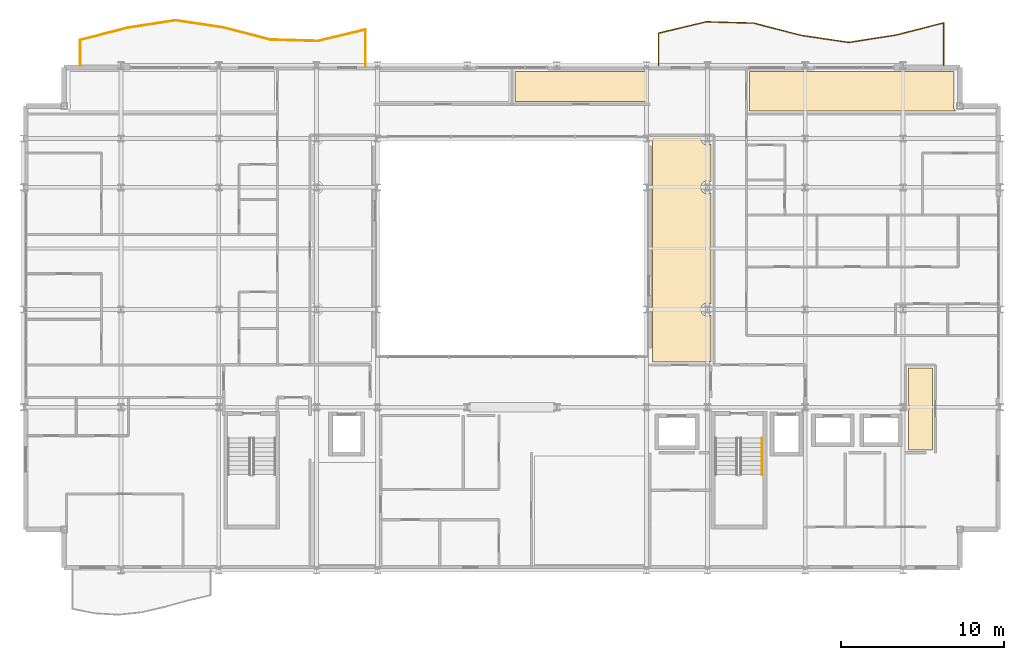
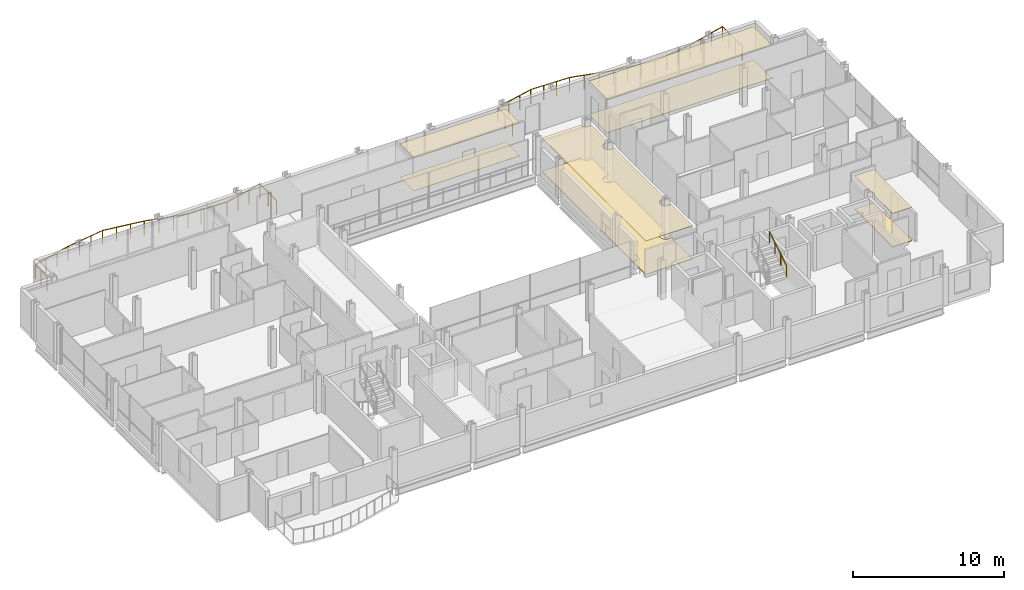
# One storey, part 41 of 41: 8 coverings, 3 railings.
"""IFC4 building model written with IfcOpenShell, lengths in metres."""

from ifc_helpers import new_model, si_unit, direction, frame, origin, origin_2d, place, context, subcontext, project, spatial, polyline, circle, outline, extrude, material, layer, layer_set, type_object, element, save


model = new_model("IFC4")

# Units and contexts
model_context = context("Model", 3, precision=1e-05, world=origin(), true_north=direction((0.0, 1.0)))
body_context = subcontext(model_context, "Body", "Model", "MODEL_VIEW")
ifc_project = project(units=[si_unit("LENGTHUNIT", "METRE"), si_unit("AREAUNIT", "SQUARE_METRE"), si_unit("VOLUMEUNIT", "CUBIC_METRE"), si_unit("PLANEANGLEUNIT", "RADIAN"), si_unit("MASSUNIT", "GRAM", prefix="KILO")], contexts=[model_context])

# Site, building, storey
site_placement = place(None, origin())
site = spatial("IfcSite", under=ifc_project, at=site_placement, CompositionType="ELEMENT")
building_placement = place(site_placement, origin())
building = spatial("IfcBuilding", under=site, at=building_placement, Name="Brevholm Reach", CompositionType="ELEMENT")
storey_placement = place(building_placement, frame((0.0, 0.0, 169.699951171875)))
storey = spatial("IfcBuildingStorey", under=building, at=storey_placement, Name="L51", CompositionType="ELEMENT", Elevation=169.699951171875)

# Coverings
ifc_material_1 = material(Name="Perforated Mineral-Fibre Class-A Acoustic Suspended Ceiling", Category="gypsum")
ifc_layer_1 = layer(ifc_material_1, 0.044921875)
ifc_layer_set_1 = layer_set([ifc_layer_1], Name="Perforated Mineral-Fibre Class-A Acoustic Suspended Ceiling")
covering_type_1 = type_object("IfcCoveringType", Name="COV-CLG-AC", PredefinedType="CEILING", material=ifc_layer_set_1)
covering_1_placement = place(storey_placement, frame((0.0, 0.0, 2.675048828125)))
element("IfcCovering", 1, at=covering_1_placement, inside=storey, type_object=covering_type_1, Name="L51 Suspended Ceiling L51-61", PredefinedType="CEILING", context=body_context, shape_type="SweptSolid", body=[
    extrude(outline(polyline([(32.626220703125, 30.6201171875), (32.6337890625, 30.6171875), (32.672119140625, 30.607666015625), (32.710693359375, 30.601806640625), (32.75, 30.60009765625), (32.789306640625, 30.601806640625), (32.827880859375, 30.607666015625), (32.8662109375, 30.6171875), (32.873779296875, 30.6201171875), (38.126220703125, 30.6201171875), (38.1337890625, 30.6171875), (38.172119140625, 30.607666015625), (38.210693359375, 30.601806640625), (38.25, 30.60009765625), (38.26611328125, 30.600830078125), (38.26611328125, 28.783935546875), (30.18408203125, 28.783935546875), (30.18408203125, 30.6201171875), (32.626220703125, 30.6201171875)])), origin(), (0.0, 0.0, 1.0), 0.044921875),
])
covering_2_placement = place(storey_placement, frame((0.0, 0.0, 2.675048828125)))
element("IfcCovering", 2, at=covering_2_placement, inside=storey, type_object=covering_type_1, Name="L51 Suspended Ceiling L51-62", PredefinedType="CEILING", context=body_context, shape_type="SweptSolid", body=[
    extrude(outline(polyline([(47.876220703125, 30.6201171875), (47.8837890625, 30.6171875), (47.922119140625, 30.607666015625), (47.960693359375, 30.601806640625), (48.0, 30.60009765625), (48.039306640625, 30.601806640625), (48.077880859375, 30.607666015625), (48.1162109375, 30.6171875), (48.123779296875, 30.6201171875), (53.876220703125, 30.6201171875), (53.8837890625, 30.6171875), (53.922119140625, 30.607666015625), (53.960693359375, 30.601806640625), (54.0, 30.60009765625), (54.039306640625, 30.601806640625), (54.077880859375, 30.607666015625), (54.1162109375, 30.6171875), (54.123779296875, 30.6201171875), (57.139892578125, 30.6201171875), (57.139892578125, 28.67333984375), (57.13037109375, 28.653076171875), (57.1171875, 28.6162109375), (57.107666015625, 28.577880859375), (57.101806640625, 28.539306640625), (57.10009765625, 28.5), (57.101806640625, 28.460693359375), (57.107666015625, 28.422119140625), (57.1171875, 28.3837890625), (57.13037109375, 28.346923828125), (57.147216796875, 28.311279296875), (57.16748046875, 28.27783203125), (57.19091796875, 28.24609375), (57.21728515625, 28.21728515625), (57.24609375, 28.19091796875), (57.25537109375, 28.18408203125), (44.583984375, 28.18408203125), (44.583984375, 30.6201171875), (47.876220703125, 30.6201171875)])), origin(), (0.0, 0.0, 1.0), 0.044921875),
])
ifc_material_2 = material(Name="Moisture-Resistant Skimmed Gypsum Plasterboard Ceiling", Category="gypsum")
ifc_layer_2 = layer(ifc_material_2, 0.030029296875)
ifc_layer_set_2 = layer_set([ifc_layer_2], Name="Moisture-Resistant Skimmed Gypsum Plasterboard Ceiling")
covering_type_2 = type_object("IfcCoveringType", Name="COV-CLG-GYP", PredefinedType="CEILING", material=ifc_layer_set_2)
covering_3_placement = place(storey_placement, frame((0.0, 0.0, 2.68994140625)))
element("IfcCovering", 3, at=covering_3_placement, inside=storey, type_object=covering_type_2, Name="L51 Suspended Ceiling L51-27", PredefinedType="CEILING", context=body_context, shape_type="SweptSolid", body=[
    extrude(outline(polyline([(54.330078125, 9.7626953125), (54.33056640625, 9.764892578125), (54.33251953125, 9.777587890625), (54.33251953125, 9.77783203125), (54.352783203125, 9.811279296875), (54.36962890625, 9.846923828125), (54.3828125, 9.8837890625), (54.392333984375, 9.922119140625), (54.398193359375, 9.960693359375), (54.39990234375, 10.0), (54.398193359375, 10.039306640625), (54.392333984375, 10.077880859375), (54.3828125, 10.1162109375), (54.36962890625, 10.153076171875), (54.352783203125, 10.188720703125), (54.333984375, 10.219970703125), (54.333984375, 12.419921875), (55.81591796875, 12.419921875), (55.81591796875, 7.3798828125), (55.437255859375, 7.3798828125), (55.43505859375, 7.380615234375), (55.41748046875, 7.383056640625), (55.39990234375, 7.384033203125), (54.330078125, 7.384033203125), (54.330078125, 9.7626953125)])), origin(), (0.0, 0.0, 1.0), 0.030029296875),
])
covering_4_placement = place(storey_placement, frame((0.0, 0.0, 2.68994140625)))
element("IfcCovering", 4, at=covering_4_placement, inside=storey, type_object=covering_type_2, Name="L51 Suspended Ceiling L51-58", PredefinedType="CEILING", context=body_context, shape_type="SweptSolid", body=[
    extrude(outline(polyline([(38.6298828125, 15.876220703125), (38.6328125, 15.8837890625), (38.642333984375, 15.922119140625), (38.648193359375, 15.960693359375), (38.64990234375, 16.0), (38.648193359375, 16.039306640625), (38.642333984375, 16.077880859375), (38.6328125, 16.1162109375), (38.6298828125, 16.123779296875), (38.6298828125, 23.376220703125), (38.6328125, 23.3837890625), (38.642333984375, 23.422119140625), (38.648193359375, 23.460693359375), (38.64990234375, 23.5), (38.648193359375, 23.539306640625), (38.642333984375, 23.577880859375), (38.6328125, 23.6162109375), (38.6298828125, 23.623779296875), (38.6298828125, 26.376220703125), (38.6328125, 26.3837890625), (38.642333984375, 26.422119140625), (38.648193359375, 26.460693359375), (38.64990234375, 26.5), (38.649169921875, 26.51611328125), (41.600830078125, 26.51611328125), (41.60009765625, 26.5), (41.601806640625, 26.460693359375), (41.607666015625, 26.422119140625), (41.6171875, 26.3837890625), (41.63037109375, 26.346923828125), (41.647216796875, 26.311279296875), (41.66748046875, 26.27783203125), (41.69091796875, 26.24609375), (41.71728515625, 26.21728515625), (41.74609375, 26.19091796875), (41.77783203125, 26.16748046875), (41.811279296875, 26.147216796875), (41.846923828125, 26.13037109375), (41.8837890625, 26.1171875), (41.922119140625, 26.107666015625), (41.960693359375, 26.101806640625), (42.0, 26.10009765625), (42.039306640625, 26.101806640625), (42.077880859375, 26.107666015625), (42.1162109375, 26.1171875), (42.153076171875, 26.13037109375), (42.188720703125, 26.147216796875), (42.216064453125, 26.163818359375), (42.216064453125, 23.836181640625), (42.188720703125, 23.852783203125), (42.153076171875, 23.86962890625), (42.1162109375, 23.8828125), (42.077880859375, 23.892333984375), (42.039306640625, 23.898193359375), (42.0, 23.89990234375), (41.960693359375, 23.898193359375), (41.922119140625, 23.892333984375), (41.8837890625, 23.8828125), (41.846923828125, 23.86962890625), (41.811279296875, 23.852783203125), (41.77783203125, 23.83251953125), (41.74609375, 23.80908203125), (41.71728515625, 23.78271484375), (41.69091796875, 23.75390625), (41.66748046875, 23.72216796875), (41.647216796875, 23.688720703125), (41.63037109375, 23.653076171875), (41.6171875, 23.6162109375), (41.607666015625, 23.577880859375), (41.601806640625, 23.539306640625), (41.60009765625, 23.5), (41.601806640625, 23.460693359375), (41.607666015625, 23.422119140625), (41.6171875, 23.3837890625), (41.63037109375, 23.346923828125), (41.647216796875, 23.311279296875), (41.66748046875, 23.27783203125), (41.69091796875, 23.24609375), (41.71728515625, 23.21728515625), (41.74609375, 23.19091796875), (41.77783203125, 23.16748046875), (41.811279296875, 23.147216796875), (41.846923828125, 23.13037109375), (41.8837890625, 23.1171875), (41.922119140625, 23.107666015625), (41.960693359375, 23.101806640625), (42.0, 23.10009765625), (42.039306640625, 23.101806640625), (42.077880859375, 23.107666015625), (42.1162109375, 23.1171875), (42.153076171875, 23.13037109375), (42.188720703125, 23.147216796875), (42.216064453125, 23.163818359375), (42.216064453125, 16.336181640625), (42.188720703125, 16.352783203125), (42.153076171875, 16.36962890625), (42.1162109375, 16.3828125), (42.077880859375, 16.392333984375), (42.039306640625, 16.398193359375), (42.0, 16.39990234375), (41.960693359375, 16.398193359375), (41.922119140625, 16.392333984375), (41.8837890625, 16.3828125), (41.846923828125, 16.36962890625), (41.811279296875, 16.352783203125), (41.77783203125, 16.33251953125), (41.74609375, 16.30908203125), (41.71728515625, 16.28271484375), (41.69091796875, 16.25390625), (41.66748046875, 16.22216796875), (41.647216796875, 16.188720703125), (41.63037109375, 16.153076171875), (41.6171875, 16.1162109375), (41.607666015625, 16.077880859375), (41.601806640625, 16.039306640625), (41.60009765625, 16.0), (41.601806640625, 15.960693359375), (41.607666015625, 15.922119140625), (41.6171875, 15.8837890625), (41.63037109375, 15.846923828125), (41.647216796875, 15.811279296875), (41.66748046875, 15.77783203125), (41.69091796875, 15.74609375), (41.71728515625, 15.71728515625), (41.74609375, 15.69091796875), (41.77783203125, 15.66748046875), (41.811279296875, 15.647216796875), (41.846923828125, 15.63037109375), (41.8837890625, 15.6171875), (41.922119140625, 15.607666015625), (41.960693359375, 15.601806640625), (42.0, 15.60009765625), (42.039306640625, 15.601806640625), (42.077880859375, 15.607666015625), (42.1162109375, 15.6171875), (42.153076171875, 15.63037109375), (42.188720703125, 15.647216796875), (42.216064453125, 15.663818359375), (42.216064453125, 12.783935546875), (38.6298828125, 12.783935546875), (38.6298828125, 15.876220703125)])), origin(), (0.0, 0.0, 1.0), 0.030029296875),
])
ifc_material_3 = material(Name="Engineered European Oak Acoustic Plank Flooring", Category="timber")
ifc_layer_3 = layer(ifc_material_3, 0.02197265625)
ifc_layer_set_3 = layer_set([ifc_layer_3], Name="Engineered European Oak Acoustic Plank Flooring")
covering_type_3 = type_object("IfcCoveringType", Name="COV-FLR-OAK", PredefinedType="FLOORING", material=ifc_layer_set_3)
covering_5_placement = place(storey_placement, origin())
element("IfcCovering", 5, at=covering_5_placement, inside=storey, type_object=covering_type_3, Name="L51 Floor Finish L51-61", PredefinedType="FLOORING", context=body_context, shape_type="SweptSolid", body=[
    extrude(outline(polyline([(32.626220703125, 30.6201171875), (32.6337890625, 30.6171875), (32.672119140625, 30.607666015625), (32.710693359375, 30.601806640625), (32.75, 30.60009765625), (32.789306640625, 30.601806640625), (32.827880859375, 30.607666015625), (32.8662109375, 30.6171875), (32.873779296875, 30.6201171875), (38.126220703125, 30.6201171875), (38.1337890625, 30.6171875), (38.172119140625, 30.607666015625), (38.210693359375, 30.601806640625), (38.25, 30.60009765625), (38.26611328125, 30.600830078125), (38.26611328125, 28.783935546875), (30.18408203125, 28.783935546875), (30.18408203125, 30.6201171875), (32.626220703125, 30.6201171875)])), origin(), (0.0, 0.0, 1.0), 0.02197265625),
])
ifc_material_4 = material(Name="Honed Portland-Aggregate Resin Terrazzo Flooring", Category="concrete")
ifc_layer_4 = layer(ifc_material_4, 0.031982421875)
ifc_layer_set_4 = layer_set([ifc_layer_4], Name="Honed Portland-Aggregate Resin Terrazzo Flooring")
covering_type_4 = type_object("IfcCoveringType", Name="COV-FLR-TRZ", PredefinedType="FLOORING", material=ifc_layer_set_4)
covering_6_placement = place(storey_placement, origin())
element("IfcCovering", 6, at=covering_6_placement, inside=storey, type_object=covering_type_4, Name="L51 Floor Finish L51-27", PredefinedType="FLOORING", context=body_context, shape_type="SweptSolid", body=[
    extrude(outline(polyline([(54.330078125, 9.7626953125), (54.33056640625, 9.764892578125), (54.33251953125, 9.777587890625), (54.33251953125, 9.77783203125), (54.352783203125, 9.811279296875), (54.36962890625, 9.846923828125), (54.3828125, 9.8837890625), (54.392333984375, 9.922119140625), (54.398193359375, 9.960693359375), (54.39990234375, 10.0), (54.398193359375, 10.039306640625), (54.392333984375, 10.077880859375), (54.3828125, 10.1162109375), (54.36962890625, 10.153076171875), (54.352783203125, 10.188720703125), (54.333984375, 10.219970703125), (54.333984375, 12.419921875), (55.81591796875, 12.419921875), (55.81591796875, 7.3798828125), (55.437255859375, 7.3798828125), (55.43505859375, 7.380615234375), (55.41748046875, 7.383056640625), (55.39990234375, 7.384033203125), (54.330078125, 7.384033203125), (54.330078125, 9.7626953125)])), origin(), (0.0, 0.0, 1.0), 0.031982421875),
])
covering_7_placement = place(storey_placement, origin())
element("IfcCovering", 7, at=covering_7_placement, inside=storey, type_object=covering_type_4, Name="L51 Floor Finish L51-58", PredefinedType="FLOORING", context=body_context, shape_type="SweptSolid", body=[
    extrude(outline(polyline([(38.6298828125, 15.876220703125), (38.6328125, 15.8837890625), (38.642333984375, 15.922119140625), (38.648193359375, 15.960693359375), (38.64990234375, 16.0), (38.648193359375, 16.039306640625), (38.642333984375, 16.077880859375), (38.6328125, 16.1162109375), (38.6298828125, 16.123779296875), (38.6298828125, 23.376220703125), (38.6328125, 23.3837890625), (38.642333984375, 23.422119140625), (38.648193359375, 23.460693359375), (38.64990234375, 23.5), (38.648193359375, 23.539306640625), (38.642333984375, 23.577880859375), (38.6328125, 23.6162109375), (38.6298828125, 23.623779296875), (38.6298828125, 26.376220703125), (38.6328125, 26.3837890625), (38.642333984375, 26.422119140625), (38.648193359375, 26.460693359375), (38.64990234375, 26.5), (38.649169921875, 26.51611328125), (41.600830078125, 26.51611328125), (41.60009765625, 26.5), (41.601806640625, 26.460693359375), (41.607666015625, 26.422119140625), (41.6171875, 26.3837890625), (41.63037109375, 26.346923828125), (41.647216796875, 26.311279296875), (41.66748046875, 26.27783203125), (41.69091796875, 26.24609375), (41.71728515625, 26.21728515625), (41.74609375, 26.19091796875), (41.77783203125, 26.16748046875), (41.811279296875, 26.147216796875), (41.846923828125, 26.13037109375), (41.8837890625, 26.1171875), (41.922119140625, 26.107666015625), (41.960693359375, 26.101806640625), (42.0, 26.10009765625), (42.039306640625, 26.101806640625), (42.077880859375, 26.107666015625), (42.1162109375, 26.1171875), (42.153076171875, 26.13037109375), (42.188720703125, 26.147216796875), (42.216064453125, 26.163818359375), (42.216064453125, 23.836181640625), (42.188720703125, 23.852783203125), (42.153076171875, 23.86962890625), (42.1162109375, 23.8828125), (42.077880859375, 23.892333984375), (42.039306640625, 23.898193359375), (42.0, 23.89990234375), (41.960693359375, 23.898193359375), (41.922119140625, 23.892333984375), (41.8837890625, 23.8828125), (41.846923828125, 23.86962890625), (41.811279296875, 23.852783203125), (41.77783203125, 23.83251953125), (41.74609375, 23.80908203125), (41.71728515625, 23.78271484375), (41.69091796875, 23.75390625), (41.66748046875, 23.72216796875), (41.647216796875, 23.688720703125), (41.63037109375, 23.653076171875), (41.6171875, 23.6162109375), (41.607666015625, 23.577880859375), (41.601806640625, 23.539306640625), (41.60009765625, 23.5), (41.601806640625, 23.460693359375), (41.607666015625, 23.422119140625), (41.6171875, 23.3837890625), (41.63037109375, 23.346923828125), (41.647216796875, 23.311279296875), (41.66748046875, 23.27783203125), (41.69091796875, 23.24609375), (41.71728515625, 23.21728515625), (41.74609375, 23.19091796875), (41.77783203125, 23.16748046875), (41.811279296875, 23.147216796875), (41.846923828125, 23.13037109375), (41.8837890625, 23.1171875), (41.922119140625, 23.107666015625), (41.960693359375, 23.101806640625), (42.0, 23.10009765625), (42.039306640625, 23.101806640625), (42.077880859375, 23.107666015625), (42.1162109375, 23.1171875), (42.153076171875, 23.13037109375), (42.188720703125, 23.147216796875), (42.216064453125, 23.163818359375), (42.216064453125, 16.336181640625), (42.188720703125, 16.352783203125), (42.153076171875, 16.36962890625), (42.1162109375, 16.3828125), (42.077880859375, 16.392333984375), (42.039306640625, 16.398193359375), (42.0, 16.39990234375), (41.960693359375, 16.398193359375), (41.922119140625, 16.392333984375), (41.8837890625, 16.3828125), (41.846923828125, 16.36962890625), (41.811279296875, 16.352783203125), (41.77783203125, 16.33251953125), (41.74609375, 16.30908203125), (41.71728515625, 16.28271484375), (41.69091796875, 16.25390625), (41.66748046875, 16.22216796875), (41.647216796875, 16.188720703125), (41.63037109375, 16.153076171875), (41.6171875, 16.1162109375), (41.607666015625, 16.077880859375), (41.601806640625, 16.039306640625), (41.60009765625, 16.0), (41.601806640625, 15.960693359375), (41.607666015625, 15.922119140625), (41.6171875, 15.8837890625), (41.63037109375, 15.846923828125), (41.647216796875, 15.811279296875), (41.66748046875, 15.77783203125), (41.69091796875, 15.74609375), (41.71728515625, 15.71728515625), (41.74609375, 15.69091796875), (41.77783203125, 15.66748046875), (41.811279296875, 15.647216796875), (41.846923828125, 15.63037109375), (41.8837890625, 15.6171875), (41.922119140625, 15.607666015625), (41.960693359375, 15.601806640625), (42.0, 15.60009765625), (42.039306640625, 15.601806640625), (42.077880859375, 15.607666015625), (42.1162109375, 15.6171875), (42.153076171875, 15.63037109375), (42.188720703125, 15.647216796875), (42.216064453125, 15.663818359375), (42.216064453125, 12.783935546875), (38.6298828125, 12.783935546875), (38.6298828125, 15.876220703125)])), origin(), (0.0, 0.0, 1.0), 0.031982421875),
])
covering_8_placement = place(storey_placement, origin())
element("IfcCovering", 8, at=covering_8_placement, inside=storey, type_object=covering_type_4, Name="L51 Floor Finish L51-62", PredefinedType="FLOORING", context=body_context, shape_type="SweptSolid", body=[
    extrude(outline(polyline([(47.876220703125, 30.6201171875), (47.8837890625, 30.6171875), (47.922119140625, 30.607666015625), (47.960693359375, 30.601806640625), (48.0, 30.60009765625), (48.039306640625, 30.601806640625), (48.077880859375, 30.607666015625), (48.1162109375, 30.6171875), (48.123779296875, 30.6201171875), (53.876220703125, 30.6201171875), (53.8837890625, 30.6171875), (53.922119140625, 30.607666015625), (53.960693359375, 30.601806640625), (54.0, 30.60009765625), (54.039306640625, 30.601806640625), (54.077880859375, 30.607666015625), (54.1162109375, 30.6171875), (54.123779296875, 30.6201171875), (57.139892578125, 30.6201171875), (57.139892578125, 28.67333984375), (57.13037109375, 28.653076171875), (57.1171875, 28.6162109375), (57.107666015625, 28.577880859375), (57.101806640625, 28.539306640625), (57.10009765625, 28.5), (57.101806640625, 28.460693359375), (57.107666015625, 28.422119140625), (57.1171875, 28.3837890625), (57.13037109375, 28.346923828125), (57.147216796875, 28.311279296875), (57.16748046875, 28.27783203125), (57.19091796875, 28.24609375), (57.21728515625, 28.21728515625), (57.24609375, 28.19091796875), (57.25537109375, 28.18408203125), (44.583984375, 28.18408203125), (44.583984375, 30.6201171875), (47.876220703125, 30.6201171875)])), origin(), (0.0, 0.0, 1.0), 0.031982421875),
])

# Railings
ifc_material_5 = material(Name="Brushed Stainless Steel EN 1.4401 and Laminated Glass", Category="steel")
railing_type_1 = type_object("IfcRailingType", Name="RAL-BALC-1150", PredefinedType="BALUSTRADE", material=ifc_material_5)
railing_1_placement = place(storey_placement, frame((56.5, 31.0, 0.0)))
element("IfcRailing", 9, at=railing_1_placement, inside=storey, type_object=railing_type_1, Name="L51 Guard Balustrade RAL-L51-BAL-NE", PredefinedType="BALUSTRADE", context=body_context, shape_type="SweptSolid", body=[
    extrude(circle(Radius=0.02392578125, at=origin_2d()), frame((0.0, 0.0, 1.1259765625), z_axis=(0.0, 1.0, 0.0), x_axis=(-1.0, 0.0, 0.0)), (0.0, 0.0, 1.0), 2.599609375),
    extrude(circle(Radius=0.02392578125, at=origin_2d()), frame((0.0, 2.599609375, 1.1259765625), z_axis=(-0.968942936238, -0.247284423921, 0.0), x_axis=(0.247284423921, -0.968942936238, 0.0)), (0.0, 0.0, 1.0), 3.01025390625),
    extrude(circle(Radius=0.02392578125, at=origin_2d()), frame((-2.916748046875, 1.855224609375, 1.1259765625), z_axis=(-0.988044338858, -0.154169985571, 0.0), x_axis=(0.154169985571, -0.988044338858, 0.0)), (0.0, 0.0, 1.0), 2.951904296875),
    extrude(circle(Radius=0.02392578125, at=origin_2d()), frame((-5.833251953125, 1.400146484375, 1.1259765625), z_axis=(-0.98916653389, 0.146797711943, 0.0), x_axis=(-0.146797711943, -0.98916653389, 0.0)), (0.0, 0.0, 1.0), 2.94873046875),
    extrude(circle(Radius=0.02392578125, at=origin_2d()), frame((-8.75, 1.8330078125, 1.1259765625), z_axis=(-0.968377202247, 0.2494906695, 0.0), x_axis=(-0.2494906695, -0.968377202247, 0.0)), (0.0, 0.0, 1.0), 3.011962890625),
    extrude(circle(Radius=0.02392578125, at=origin_2d()), frame((-11.666748046875, 2.58447265625, 1.1259765625), z_axis=(-0.99961635372, 0.027697389342, 0.0), x_axis=(-0.027697389342, -0.99961635372, 0.0)), (0.0, 0.0, 1.0), 2.917724609375),
    extrude(circle(Radius=0.02392578125, at=origin_2d()), frame((-14.583251953125, 2.665283203125, 1.1259765625), z_axis=(-0.972705660557, -0.23204244853, 0.0), x_axis=(0.23204244853, -0.972705660557, 0.0)), (0.0, 0.0, 1.0), 2.99853515625),
    extrude(circle(Radius=0.02392578125, at=origin_2d()), frame((-17.5, 1.969482421875, 1.1259765625), z_axis=(0.0, -1.0, 0.0), x_axis=(1.0, 0.0, 0.0)), (0.0, 0.0, 1.0), 1.969482421875),
    extrude(circle(Radius=0.02099609375, at=origin_2d()), origin(), (0.0, 0.0, 1.0), 1.101806640625),
    extrude(circle(Radius=0.02099609375, at=origin_2d()), frame((0.0, 0.866455078125, 0.0)), (0.0, 0.0, 1.0), 1.101806640625),
    extrude(circle(Radius=0.02099609375, at=origin_2d()), frame((0.0, 1.733154296875, 0.0)), (0.0, 0.0, 1.0), 1.101806640625),
    extrude(circle(Radius=0.02099609375, at=origin_2d()), frame((0.0, 2.599609375, 0.0)), (0.0, 0.0, 1.0), 1.101806640625),
    extrude(circle(Radius=0.02099609375, at=origin_2d()), frame((-0.97216796875, 2.3515625, 0.0)), (0.0, 0.0, 1.0), 1.101806640625),
    extrude(circle(Radius=0.02099609375, at=origin_2d()), frame((-1.944580078125, 2.103271484375, 0.0)), (0.0, 0.0, 1.0), 1.101806640625),
    extrude(circle(Radius=0.02099609375, at=origin_2d()), frame((-2.916748046875, 1.855224609375, 0.0)), (0.0, 0.0, 1.0), 1.101806640625),
    extrude(circle(Radius=0.02099609375, at=origin_2d()), frame((-3.888916015625, 1.70361328125, 0.0)), (0.0, 0.0, 1.0), 1.101806640625),
    extrude(circle(Radius=0.02099609375, at=origin_2d()), frame((-4.861083984375, 1.5517578125, 0.0)), (0.0, 0.0, 1.0), 1.101806640625),
    extrude(circle(Radius=0.02099609375, at=origin_2d()), frame((-5.833251953125, 1.400146484375, 0.0)), (0.0, 0.0, 1.0), 1.101806640625),
    extrude(circle(Radius=0.02099609375, at=origin_2d()), frame((-6.805419921875, 1.54443359375, 0.0)), (0.0, 0.0, 1.0), 1.101806640625),
    extrude(circle(Radius=0.02099609375, at=origin_2d()), frame((-7.77783203125, 1.688720703125, 0.0)), (0.0, 0.0, 1.0), 1.101806640625),
    extrude(circle(Radius=0.02099609375, at=origin_2d()), frame((-8.75, 1.8330078125, 0.0)), (0.0, 0.0, 1.0), 1.101806640625),
    extrude(circle(Radius=0.02099609375, at=origin_2d()), frame((-9.72216796875, 2.08349609375, 0.0)), (0.0, 0.0, 1.0), 1.101806640625),
    extrude(circle(Radius=0.02099609375, at=origin_2d()), frame((-10.694580078125, 2.333984375, 0.0)), (0.0, 0.0, 1.0), 1.101806640625),
    extrude(circle(Radius=0.02099609375, at=origin_2d()), frame((-11.666748046875, 2.58447265625, 0.0)), (0.0, 0.0, 1.0), 1.101806640625),
    extrude(circle(Radius=0.02099609375, at=origin_2d()), frame((-12.638916015625, 2.611328125, 0.0)), (0.0, 0.0, 1.0), 1.101806640625),
    extrude(circle(Radius=0.02099609375, at=origin_2d()), frame((-13.611083984375, 2.638427734375, 0.0)), (0.0, 0.0, 1.0), 1.101806640625),
    extrude(circle(Radius=0.02099609375, at=origin_2d()), frame((-14.583251953125, 2.665283203125, 0.0)), (0.0, 0.0, 1.0), 1.101806640625),
    extrude(circle(Radius=0.02099609375, at=origin_2d()), frame((-15.555419921875, 2.433349609375, 0.0)), (0.0, 0.0, 1.0), 1.101806640625),
    extrude(circle(Radius=0.02099609375, at=origin_2d()), frame((-16.52783203125, 2.201416015625, 0.0)), (0.0, 0.0, 1.0), 1.101806640625),
    extrude(circle(Radius=0.02099609375, at=origin_2d()), frame((-17.5, 1.969482421875, 0.0)), (0.0, 0.0, 1.0), 1.101806640625),
    extrude(circle(Radius=0.02099609375, at=origin_2d()), frame((-17.5, 0.98486328125, 0.0)), (0.0, 0.0, 1.0), 1.101806640625),
    extrude(circle(Radius=0.02099609375, at=origin_2d()), frame((-17.5, 0.0, 0.0)), (0.0, 0.0, 1.0), 1.101806640625),
])
railing_2_placement = place(storey_placement, frame((21.0, 31.0, 0.0)))
element("IfcRailing", 10, at=railing_2_placement, inside=storey, type_object=railing_type_1, Name="L51 Guard Balustrade RAL-L51-BAL-NW", PredefinedType="BALUSTRADE", context=body_context, shape_type="SweptSolid", body=[
    extrude(circle(Radius=0.02392578125, at=origin_2d()), frame((0.0, 0.0, 1.1259765625), z_axis=(0.0, 1.0, 0.0), x_axis=(-1.0, 0.0, 0.0)), (0.0, 0.0, 1.0), 2.1806640625),
    extrude(circle(Radius=0.02392578125, at=origin_2d()), frame((0.0, 2.1806640625, 1.1259765625), z_axis=(-0.972687280988, -0.232119480882, 0.0), x_axis=(0.232119480882, -0.972687280988, 0.0)), (0.0, 0.0, 1.0), 2.99853515625),
    extrude(circle(Radius=0.02392578125, at=origin_2d()), frame((-2.916748046875, 1.484619140625, 1.1259765625), z_axis=(-0.999614033457, 0.027781002771, 0.0), x_axis=(-0.027781002771, -0.999614033457, 0.0)), (0.0, 0.0, 1.0), 2.917724609375),
    extrude(circle(Radius=0.02392578125, at=origin_2d()), frame((-5.833251953125, 1.565673828125, 1.1259765625), z_axis=(-0.968396782901, 0.249414656482, 0.0), x_axis=(-0.249414656482, -0.968396782901, 0.0)), (0.0, 0.0, 1.0), 3.011962890625),
    extrude(circle(Radius=0.02392578125, at=origin_2d()), frame((-8.75, 2.31689453125, 1.1259765625), z_axis=(-0.989154508095, 0.146878722471, 0.0), x_axis=(-0.146878722471, -0.989154508095, 0.0)), (0.0, 0.0, 1.0), 2.94873046875),
    extrude(circle(Radius=0.02392578125, at=origin_2d()), frame((-11.666748046875, 2.75, 1.1259765625), z_axis=(-0.988044338858, -0.154169985571, 0.0), x_axis=(0.154169985571, -0.988044338858, 0.0)), (0.0, 0.0, 1.0), 2.951904296875),
    extrude(circle(Radius=0.02392578125, at=origin_2d()), frame((-14.583251953125, 2.294921875, 1.1259765625), z_axis=(-0.968923500885, -0.24736056564, 0.0), x_axis=(0.24736056564, -0.968923500885, 0.0)), (0.0, 0.0, 1.0), 3.01025390625),
    extrude(circle(Radius=0.02392578125, at=origin_2d()), frame((-17.5, 1.55029296875, 1.1259765625), z_axis=(0.0, -1.0, 0.0), x_axis=(1.0, 0.0, 0.0)), (0.0, 0.0, 1.0), 1.55029296875),
    extrude(circle(Radius=0.02099609375, at=origin_2d()), origin(), (0.0, 0.0, 1.0), 1.101806640625),
    extrude(circle(Radius=0.02099609375, at=origin_2d()), frame((0.0, 1.09033203125, 0.0)), (0.0, 0.0, 1.0), 1.101806640625),
    extrude(circle(Radius=0.02099609375, at=origin_2d()), frame((0.0, 2.1806640625, 0.0)), (0.0, 0.0, 1.0), 1.101806640625),
    extrude(circle(Radius=0.02099609375, at=origin_2d()), frame((-0.97216796875, 1.94873046875, 0.0)), (0.0, 0.0, 1.0), 1.101806640625),
    extrude(circle(Radius=0.02099609375, at=origin_2d()), frame((-1.944580078125, 1.716552734375, 0.0)), (0.0, 0.0, 1.0), 1.101806640625),
    extrude(circle(Radius=0.02099609375, at=origin_2d()), frame((-2.916748046875, 1.484619140625, 0.0)), (0.0, 0.0, 1.0), 1.101806640625),
    extrude(circle(Radius=0.02099609375, at=origin_2d()), frame((-3.888916015625, 1.51171875, 0.0)), (0.0, 0.0, 1.0), 1.101806640625),
    extrude(circle(Radius=0.02099609375, at=origin_2d()), frame((-4.861083984375, 1.53857421875, 0.0)), (0.0, 0.0, 1.0), 1.101806640625),
    extrude(circle(Radius=0.02099609375, at=origin_2d()), frame((-5.833251953125, 1.565673828125, 0.0)), (0.0, 0.0, 1.0), 1.101806640625),
    extrude(circle(Radius=0.02099609375, at=origin_2d()), frame((-6.805419921875, 1.816162109375, 0.0)), (0.0, 0.0, 1.0), 1.101806640625),
    extrude(circle(Radius=0.02099609375, at=origin_2d()), frame((-7.77783203125, 2.06640625, 0.0)), (0.0, 0.0, 1.0), 1.101806640625),
    extrude(circle(Radius=0.02099609375, at=origin_2d()), frame((-8.75, 2.31689453125, 0.0)), (0.0, 0.0, 1.0), 1.101806640625),
    extrude(circle(Radius=0.02099609375, at=origin_2d()), frame((-9.72216796875, 2.461181640625, 0.0)), (0.0, 0.0, 1.0), 1.101806640625),
    extrude(circle(Radius=0.02099609375, at=origin_2d()), frame((-10.694580078125, 2.605712890625, 0.0)), (0.0, 0.0, 1.0), 1.101806640625),
    extrude(circle(Radius=0.02099609375, at=origin_2d()), frame((-11.666748046875, 2.75, 0.0)), (0.0, 0.0, 1.0), 1.101806640625),
    extrude(circle(Radius=0.02099609375, at=origin_2d()), frame((-12.638916015625, 2.598388671875, 0.0)), (0.0, 0.0, 1.0), 1.101806640625),
    extrude(circle(Radius=0.02099609375, at=origin_2d()), frame((-13.611083984375, 2.446533203125, 0.0)), (0.0, 0.0, 1.0), 1.101806640625),
    extrude(circle(Radius=0.02099609375, at=origin_2d()), frame((-14.583251953125, 2.294921875, 0.0)), (0.0, 0.0, 1.0), 1.101806640625),
    extrude(circle(Radius=0.02099609375, at=origin_2d()), frame((-15.555419921875, 2.046630859375, 0.0)), (0.0, 0.0, 1.0), 1.101806640625),
    extrude(circle(Radius=0.02099609375, at=origin_2d()), frame((-16.52783203125, 1.798583984375, 0.0)), (0.0, 0.0, 1.0), 1.101806640625),
    extrude(circle(Radius=0.02099609375, at=origin_2d()), frame((-17.5, 1.55029296875, 0.0)), (0.0, 0.0, 1.0), 1.101806640625),
    extrude(circle(Radius=0.02099609375, at=origin_2d()), frame((-17.5, 0.775146484375, 0.0)), (0.0, 0.0, 1.0), 1.101806640625),
    extrude(circle(Radius=0.02099609375, at=origin_2d()), frame((-17.5, 0.0, 0.0)), (0.0, 0.0, 1.0), 1.101806640625),
])
ifc_material_6 = material(Name="Brushed Stainless Steel EN 1.4401 Continuous Handrail", Category="steel")
railing_type_2 = type_object("IfcRailingType", Name="RAL-HND-950", PredefinedType="HANDRAIL", material=ifc_material_6)
railing_3_placement = place(storey_placement, frame((45.35009765625, 5.860107421875, 1.72216796875)))
element("IfcRailing", 11, at=railing_3_placement, inside=storey, type_object=railing_type_2, Name="L51 ST-2 stair handrail 2", PredefinedType="HANDRAIL", context=body_context, shape_type="SweptSolid", body=[
    extrude(circle(Radius=0.02392578125, at=origin_2d()), frame((0.0, 0.0, 0.8857421875), z_axis=(0.0, 0.851747552033, 0.523952390591), x_axis=(-1.0, 0.0, 0.0)), (0.0, 0.0, 1.0), 2.6298828125),
    extrude(circle(Radius=0.02099609375, at=origin_2d()), origin(), (0.0, 0.0, 1.0), 0.86181640625),
    extrude(circle(Radius=0.02099609375, at=origin_2d()), frame((0.0, 0.74658203125, 0.459228515625)), (0.0, 0.0, 1.0), 0.86181640625),
    extrude(circle(Radius=0.02099609375, at=origin_2d()), frame((0.0, 1.493408203125, 0.918701171875)), (0.0, 0.0, 1.0), 0.86181640625),
    extrude(circle(Radius=0.02099609375, at=origin_2d()), frame((0.0, 2.239990234375, 1.3779296875)), (0.0, 0.0, 1.0), 0.86181640625),
])

save(model, "model.ifc")
